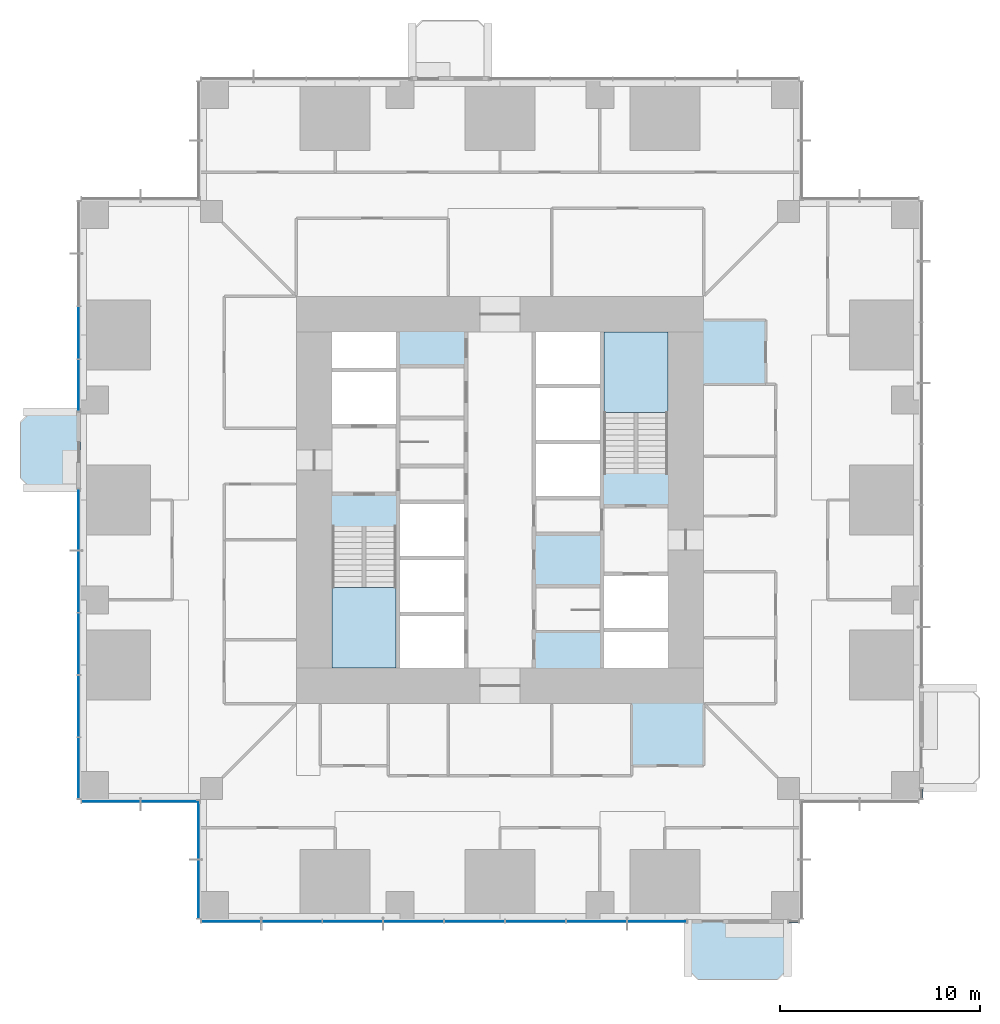
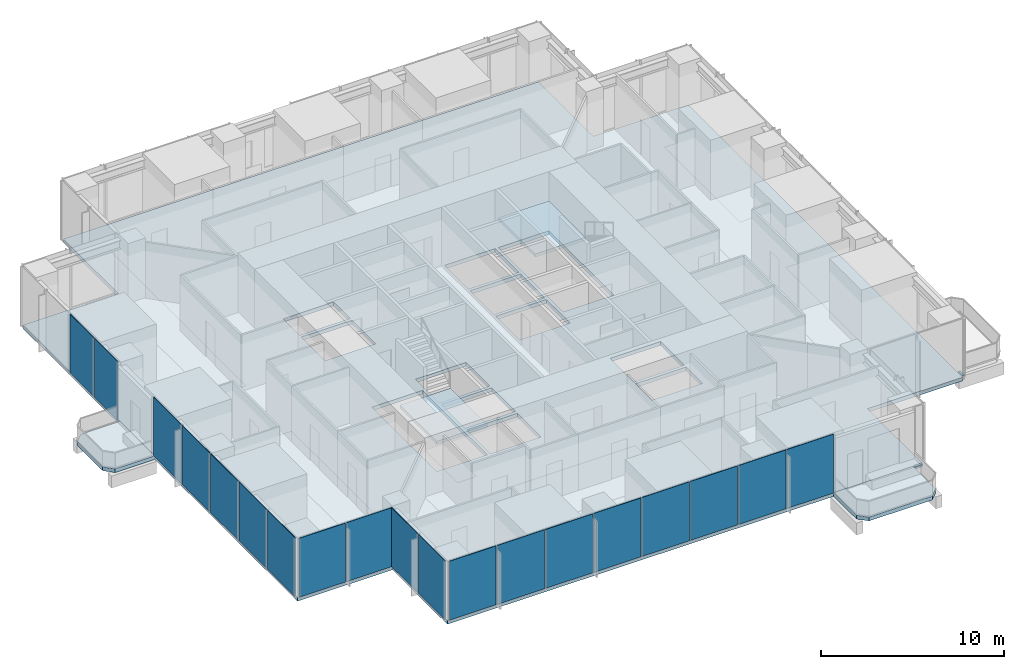
# One storey, part 7 of 16: 19 plates, 5 slabs, 2 members, 9 elements without a shape of their own.
"""IFC4 building model written with IfcOpenShell, lengths in metres."""

from ifc_helpers import new_model, si_unit, direction, frame, origin, origin_2d, place, context, subcontext, project, spatial, polyline, rectangle, outline, extrude, material, layer, layer_set, material_profile, profile_set, type_object, element, aggregate, save


model = new_model("IFC4")

# Units and contexts
model_context = context("Model", 3, precision=1e-05, world=origin(), true_north=direction((0.0, 1.0)))
body_context = subcontext(model_context, "Body", "Model", "MODEL_VIEW")
ifc_project = project(units=[si_unit("LENGTHUNIT", "METRE"), si_unit("AREAUNIT", "SQUARE_METRE"), si_unit("VOLUMEUNIT", "CUBIC_METRE"), si_unit("PLANEANGLEUNIT", "RADIAN"), si_unit("MASSUNIT", "GRAM", prefix="KILO")], contexts=[model_context])

# Site, building, storey
site_placement = place(None, origin())
site = spatial("IfcSite", under=ifc_project, at=site_placement, CompositionType="ELEMENT")
building_placement = place(site_placement, origin())
building = spatial("IfcBuilding", under=site, at=building_placement, Name="Svetlomir Tower", CompositionType="ELEMENT")
storey_placement = place(building_placement, frame((0.0, 0.0, 50.5)))
storey = spatial("IfcBuildingStorey", under=building, at=storey_placement, Name="L11", CompositionType="ELEMENT", Elevation=50.5)

# Curtain wall, member
ifc_material_1 = material(Name="Bronze anodised aluminium curtain wall", Category="aluminium")
curtain_wall_type = type_object("IfcCurtainWallType", Name="CURTAIN WALL CW1 TOWER OFFICE", PredefinedType="NOTDEFINED", material=ifc_material_1)
curtain_wall_1_placement = place(storey_placement, origin())
curtain_wall_1 = element("IfcCurtainWall", 1, at=curtain_wall_1_placement, inside=storey, type_object=curtain_wall_type, Name="Curtain wall CW1 L11", PredefinedType="NOTDEFINED")
ifc_material_2 = material(Name="Bronze anodised aluminium", Category="aluminium")
ifc_material_profile = material_profile(ifc_material_2, rectangle(XDim=0.139892578125, YDim=0.06494140625, at=origin_2d()), Name="AL 140x65")
ifc_profile_set = profile_set([ifc_material_profile], Name="Bronze anodised aluminium 6063-T6")
member_type = type_object("IfcMemberType", Name="CW1 TRANSOM 65x140", PredefinedType="USERDEFINED", material=ifc_profile_set)
member_1_placement = place(storey_placement, frame((35.465087890625, -0.10009765625, 0.032470703125), z_axis=(1.0, 0.0, 0.0), x_axis=(0.0, 1.0, 0.0)))
member_1 = element("IfcMember", 2, at=member_1_placement, type_object=member_type, Name="CW1 transom 1.1", ObjectType="TRANSOM", PredefinedType="USERDEFINED", context=body_context, shape_type="SweptSolid", body=[
    extrude(rectangle(XDim=0.139892578125, YDim=0.06494140625, at=origin_2d()), origin(), (0.0, 0.0, 1.0), 0.469970703125),
])
aggregate(curtain_wall_1, [member_1])

curtain_wall_2_placement = place(storey_placement, origin())
curtain_wall_2 = element("IfcCurtainWall", 3, at=curtain_wall_2_placement, inside=storey, type_object=curtain_wall_type, Name="Curtain wall CW1 L11", PredefinedType="NOTDEFINED")
member_2_placement = place(storey_placement, frame((42.10009765625, 6.06494140625, 0.032470703125), z_axis=(0.0, 1.0, 0.0), x_axis=(-1.0, 0.0, 0.0)))
member_2 = element("IfcMember", 4, at=member_2_placement, type_object=member_type, Name="CW1 transom 1.1", ObjectType="TRANSOM", PredefinedType="USERDEFINED", context=body_context, shape_type="SweptSolid", body=[
    extrude(rectangle(XDim=0.139892578125, YDim=0.06494140625, at=origin_2d()), origin(), (0.0, 0.0, 1.0), 0.469970703125),
])
aggregate(curtain_wall_2, [member_2])

# Slabs
ifc_material_3 = material(Name="Concrete C60/75", Category="concrete")
ifc_layer_1 = layer(ifc_material_3, 0.25)
ifc_layer_set_1 = layer_set([ifc_layer_1], Name="Concrete C60/75")
slab_type_1 = type_object("IfcSlabType", Name="BALCONY SLAB 250", PredefinedType="FLOOR", material=ifc_layer_set_1)
slab_1_placement = place(storey_placement, frame((0.0, 0.0, -0.25)))
element("IfcSlab", 5, at=slab_1_placement, inside=storey, type_object=slab_type_1, Name="L11 S planted balcony", PredefinedType="FLOOR", context=body_context, shape_type="SweptSolid", body=[
    extrude(outline(polyline([(30.39990234375, -2.5), (30.89990234375, -3.0), (34.89990234375, -3.0), (35.39990234375, -2.5), (35.39990234375, 0.0), (30.39990234375, 0.0), (30.39990234375, -2.5)])), origin(), (0.0, 0.0, 1.0), 0.25),
])
slab_2_placement = place(storey_placement, frame((0.0, 0.0, -0.25)))
element("IfcSlab", 6, at=slab_2_placement, inside=storey, type_object=slab_type_1, Name="L11 W planted balcony", PredefinedType="FLOOR", context=body_context, shape_type="SweptSolid", body=[
    extrude(outline(polyline([(-2.5, 21.60009765625), (0.0, 21.60009765625), (0.0, 25.39990234375), (-2.5, 25.39990234375), (-3.0, 24.89990234375), (-3.0, 22.10009765625), (-2.5, 21.60009765625)])), origin(), (0.0, 0.0, 1.0), 0.25),
])

# Curtain wall, plates
curtain_wall_3_placement = place(storey_placement, origin())
curtain_wall_3 = element("IfcCurtainWall", 7, at=curtain_wall_3_placement, inside=storey, type_object=curtain_wall_type, Name="Curtain wall CW1 L11", PredefinedType="NOTDEFINED")
ifc_material_4 = material(Name="Tinted double glazed unit", Category="glass")
ifc_layer_2 = layer(ifc_material_4, 0.031982421875)
ifc_layer_set_2 = layer_set([ifc_layer_2], Name="Tinted double glazed unit")
plate_type = type_object("IfcPlateType", Name="CW1 GLAZED PANEL 32", PredefinedType="CURTAIN_PANEL", material=ifc_layer_set_2)
plate_1_placement = place(storey_placement, frame((7.541259765625, -0.10009765625, 0.06494140625), z_axis=(0.0, 0.0, 1.0), x_axis=(1.0, 0.0, 0.0)))
plate_1 = element("IfcPlate", 8, at=plate_1_placement, type_object=plate_type, Name="CW1 panel 1.1", PredefinedType="CURTAIN_PANEL", context=body_context, shape_type="SweptSolid", body=[
    extrude(rectangle(XDim=2.952392578125, YDim=0.031982421875, at=origin_2d()), origin(), (0.0, 0.0, 1.0), 3.93505859375),
])
plate_2_placement = place(storey_placement, frame((10.574951171875, -0.10009765625, 0.06494140625), z_axis=(0.0, 0.0, 1.0), x_axis=(1.0, 0.0, 0.0)))
plate_2 = element("IfcPlate", 9, at=plate_2_placement, type_object=plate_type, Name="CW1 panel 2.1", PredefinedType="CURTAIN_PANEL", context=body_context, shape_type="SweptSolid", body=[
    extrude(rectangle(XDim=2.985107421875, YDim=0.031982421875, at=origin_2d()), origin(), (0.0, 0.0, 1.0), 3.93505859375),
])
plate_3_placement = place(storey_placement, frame((13.625, -0.10009765625, 0.06494140625), z_axis=(0.0, 0.0, 1.0), x_axis=(1.0, 0.0, 0.0)))
plate_3 = element("IfcPlate", 10, at=plate_3_placement, type_object=plate_type, Name="CW1 panel 3.1", PredefinedType="CURTAIN_PANEL", context=body_context, shape_type="SweptSolid", body=[
    extrude(rectangle(XDim=2.985107421875, YDim=0.031982421875, at=origin_2d()), origin(), (0.0, 0.0, 1.0), 3.93505859375),
])
plate_4_placement = place(storey_placement, frame((16.675048828125, -0.10009765625, 0.06494140625), z_axis=(0.0, 0.0, 1.0), x_axis=(1.0, 0.0, 0.0)))
plate_4 = element("IfcPlate", 11, at=plate_4_placement, type_object=plate_type, Name="CW1 panel 4.1", PredefinedType="CURTAIN_PANEL", context=body_context, shape_type="SweptSolid", body=[
    extrude(rectangle(XDim=2.985107421875, YDim=0.031982421875, at=origin_2d()), origin(), (0.0, 0.0, 1.0), 3.93505859375),
])
plate_5_placement = place(storey_placement, frame((19.72509765625, -0.10009765625, 0.06494140625), z_axis=(0.0, 0.0, 1.0), x_axis=(1.0, 0.0, 0.0)))
plate_5 = element("IfcPlate", 12, at=plate_5_placement, type_object=plate_type, Name="CW1 panel 5.1", PredefinedType="CURTAIN_PANEL", context=body_context, shape_type="SweptSolid", body=[
    extrude(rectangle(XDim=2.985107421875, YDim=0.031982421875, at=origin_2d()), origin(), (0.0, 0.0, 1.0), 3.93505859375),
])
plate_6_placement = place(storey_placement, frame((22.77490234375, -0.10009765625, 0.06494140625), z_axis=(0.0, 0.0, 1.0), x_axis=(1.0, 0.0, 0.0)))
plate_6 = element("IfcPlate", 13, at=plate_6_placement, type_object=plate_type, Name="CW1 panel 6.1", PredefinedType="CURTAIN_PANEL", context=body_context, shape_type="SweptSolid", body=[
    extrude(rectangle(XDim=2.985107421875, YDim=0.031982421875, at=origin_2d()), origin(), (0.0, 0.0, 1.0), 3.93505859375),
])
plate_7_placement = place(storey_placement, frame((25.824951171875, -0.10009765625, 0.06494140625), z_axis=(0.0, 0.0, 1.0), x_axis=(1.0, 0.0, 0.0)))
plate_7 = element("IfcPlate", 14, at=plate_7_placement, type_object=plate_type, Name="CW1 panel 7.1", PredefinedType="CURTAIN_PANEL", context=body_context, shape_type="SweptSolid", body=[
    extrude(rectangle(XDim=2.985107421875, YDim=0.031982421875, at=origin_2d()), origin(), (0.0, 0.0, 1.0), 3.93505859375),
])
plate_8_placement = place(storey_placement, frame((28.858642578125, -0.10009765625, 0.06494140625), z_axis=(0.0, 0.0, 1.0), x_axis=(1.0, 0.0, 0.0)))
plate_8 = element("IfcPlate", 15, at=plate_8_placement, type_object=plate_type, Name="CW1 panel 8.1", PredefinedType="CURTAIN_PANEL", context=body_context, shape_type="SweptSolid", body=[
    extrude(rectangle(XDim=2.952392578125, YDim=0.031982421875, at=origin_2d()), origin(), (0.0, 0.0, 1.0), 3.93505859375),
])
aggregate(curtain_wall_3, [plate_1, plate_2, plate_3, plate_4, plate_5, plate_6, plate_7, plate_8])

curtain_wall_4_placement = place(storey_placement, origin())
curtain_wall_4 = element("IfcCurtainWall", 16, at=curtain_wall_4_placement, inside=storey, type_object=curtain_wall_type, Name="Curtain wall CW1 L11", PredefinedType="NOTDEFINED")
plate_9_placement = place(storey_placement, frame((-0.10009765625, 29.375, 0.06494140625), z_axis=(0.0, 0.0, 1.0), x_axis=(0.0, -1.0, 0.0)))
plate_9 = element("IfcPlate", 17, at=plate_9_placement, type_object=plate_type, Name="CW1 panel 3.1", PredefinedType="CURTAIN_PANEL", context=body_context, shape_type="SweptSolid", body=[
    extrude(rectangle(XDim=2.5849609375, YDim=0.031982421875, at=origin_2d()), origin(), (0.0, 0.0, 1.0), 3.93505859375),
])
plate_10_placement = place(storey_placement, frame((-0.10009765625, 26.7412109375, 0.06494140625), z_axis=(0.0, 0.0, 1.0), x_axis=(0.0, -1.0, 0.0)))
plate_10 = element("IfcPlate", 18, at=plate_10_placement, type_object=plate_type, Name="CW1 panel 4.1", PredefinedType="CURTAIN_PANEL", context=body_context, shape_type="SweptSolid", body=[
    extrude(rectangle(XDim=2.552490234375, YDim=0.031982421875, at=origin_2d()), origin(), (0.0, 0.0, 1.0), 3.93505859375),
])
aggregate(curtain_wall_4, [plate_9, plate_10])

curtain_wall_5_placement = place(storey_placement, origin())
curtain_wall_5 = element("IfcCurtainWall", 19, at=curtain_wall_5_placement, inside=storey, type_object=curtain_wall_type, Name="Curtain wall CW1 L11", PredefinedType="NOTDEFINED")
plate_11_placement = place(storey_placement, frame((-0.10009765625, 20.023681640625, 0.06494140625), z_axis=(0.0, 0.0, 1.0), x_axis=(0.0, -1.0, 0.0)))
plate_11 = element("IfcPlate", 20, at=plate_11_placement, type_object=plate_type, Name="CW1 panel 1.1", PredefinedType="CURTAIN_PANEL", context=body_context, shape_type="SweptSolid", body=[
    extrude(rectangle(XDim=3.0224609375, YDim=0.031982421875, at=origin_2d()), origin(), (0.0, 0.0, 1.0), 3.93505859375),
])
plate_12_placement = place(storey_placement, frame((-0.10009765625, 16.919921875, 0.06494140625), z_axis=(0.0, 0.0, 1.0), x_axis=(0.0, -1.0, 0.0)))
plate_12 = element("IfcPlate", 21, at=plate_12_placement, type_object=plate_type, Name="CW1 panel 2.1", PredefinedType="CURTAIN_PANEL", context=body_context, shape_type="SweptSolid", body=[
    extrude(rectangle(XDim=3.054931640625, YDim=0.031982421875, at=origin_2d()), origin(), (0.0, 0.0, 1.0), 3.93505859375),
])
plate_13_placement = place(storey_placement, frame((-0.10009765625, 13.800048828125, 0.06494140625), z_axis=(0.0, 0.0, 1.0), x_axis=(0.0, -1.0, 0.0)))
plate_13 = element("IfcPlate", 22, at=plate_13_placement, type_object=plate_type, Name="CW1 panel 3.1", PredefinedType="CURTAIN_PANEL", context=body_context, shape_type="SweptSolid", body=[
    extrude(rectangle(XDim=3.054931640625, YDim=0.031982421875, at=origin_2d()), origin(), (0.0, 0.0, 1.0), 3.93505859375),
])
plate_14_placement = place(storey_placement, frame((-0.10009765625, 10.679931640625, 0.06494140625), z_axis=(0.0, 0.0, 1.0), x_axis=(0.0, -1.0, 0.0)))
plate_14 = element("IfcPlate", 23, at=plate_14_placement, type_object=plate_type, Name="CW1 panel 4.1", PredefinedType="CURTAIN_PANEL", context=body_context, shape_type="SweptSolid", body=[
    extrude(rectangle(XDim=3.054931640625, YDim=0.031982421875, at=origin_2d()), origin(), (0.0, 0.0, 1.0), 3.93505859375),
])
plate_15_placement = place(storey_placement, frame((-0.10009765625, 7.576171875, 0.06494140625), z_axis=(0.0, 0.0, 1.0), x_axis=(0.0, -1.0, 0.0)))
plate_15 = element("IfcPlate", 24, at=plate_15_placement, type_object=plate_type, Name="CW1 panel 5.1", PredefinedType="CURTAIN_PANEL", context=body_context, shape_type="SweptSolid", body=[
    extrude(rectangle(XDim=3.0224609375, YDim=0.031982421875, at=origin_2d()), origin(), (0.0, 0.0, 1.0), 3.93505859375),
])
aggregate(curtain_wall_5, [plate_11, plate_12, plate_13, plate_14, plate_15])

curtain_wall_6_placement = place(storey_placement, origin())
curtain_wall_6 = element("IfcCurtainWall", 25, at=curtain_wall_6_placement, inside=storey, type_object=curtain_wall_type, Name="Curtain wall CW1 L11", PredefinedType="NOTDEFINED")
plate_16_placement = place(storey_placement, frame((1.516357421875, 5.89990234375, 0.06494140625), z_axis=(0.0, 0.0, 1.0), x_axis=(1.0, 0.0, 0.0)))
plate_16 = element("IfcPlate", 26, at=plate_16_placement, type_object=plate_type, Name="CW1 panel 1.1", PredefinedType="CURTAIN_PANEL", context=body_context, shape_type="SweptSolid", body=[
    extrude(rectangle(XDim=2.902587890625, YDim=0.031982421875, at=origin_2d()), origin(), (0.0, 0.0, 1.0), 3.93505859375),
])
plate_17_placement = place(storey_placement, frame((4.483642578125, 5.89990234375, 0.06494140625), z_axis=(0.0, 0.0, 1.0), x_axis=(1.0, 0.0, 0.0)))
plate_17 = element("IfcPlate", 27, at=plate_17_placement, type_object=plate_type, Name="CW1 panel 2.1", PredefinedType="CURTAIN_PANEL", context=body_context, shape_type="SweptSolid", body=[
    extrude(rectangle(XDim=2.902587890625, YDim=0.031982421875, at=origin_2d()), origin(), (0.0, 0.0, 1.0), 3.93505859375),
])
aggregate(curtain_wall_6, [plate_16, plate_17])

curtain_wall_7_placement = place(storey_placement, origin())
curtain_wall_7 = element("IfcCurtainWall", 28, at=curtain_wall_7_placement, inside=storey, type_object=curtain_wall_type, Name="Curtain wall CW1 L11", PredefinedType="NOTDEFINED")
plate_18_placement = place(storey_placement, frame((5.89990234375, 4.483642578125, 0.06494140625), z_axis=(0.0, 0.0, 1.0), x_axis=(0.0, -1.0, 0.0)))
plate_18 = element("IfcPlate", 29, at=plate_18_placement, type_object=plate_type, Name="CW1 panel 1.1", PredefinedType="CURTAIN_PANEL", context=body_context, shape_type="SweptSolid", body=[
    extrude(rectangle(XDim=2.902587890625, YDim=0.031982421875, at=origin_2d()), origin(), (0.0, 0.0, 1.0), 3.93505859375),
])
plate_19_placement = place(storey_placement, frame((5.89990234375, 1.516357421875, 0.06494140625), z_axis=(0.0, 0.0, 1.0), x_axis=(0.0, -1.0, 0.0)))
plate_19 = element("IfcPlate", 30, at=plate_19_placement, type_object=plate_type, Name="CW1 panel 2.1", PredefinedType="CURTAIN_PANEL", context=body_context, shape_type="SweptSolid", body=[
    extrude(rectangle(XDim=2.902587890625, YDim=0.031982421875, at=origin_2d()), origin(), (0.0, 0.0, 1.0), 3.93505859375),
])
aggregate(curtain_wall_7, [plate_18, plate_19])

# Slab
ifc_material_5 = material(Name="Concrete C60/75", Category="concrete")
ifc_layer_3 = layer(ifc_material_5, 0.25)
ifc_layer_set_3 = layer_set([ifc_layer_3], Name="Concrete C60/75")
slab_type_2 = type_object("IfcSlabType", Name="FLOOR SLAB 250", PredefinedType="FLOOR", material=ifc_layer_set_3)
slab_3_placement = place(storey_placement, frame((0.0, 0.0, -0.25)))
element("IfcSlab", 31, at=slab_3_placement, inside=storey, type_object=slab_type_2, Name="L11 floor slab", PredefinedType="FLOOR", context=body_context, shape_type="SweptSolid", body=[
    extrude(outline(polyline([(6.0, 0.0), (36.0, 0.0), (36.0, 6.0), (42.0, 6.0), (42.0, 36.0), (36.0, 36.0), (36.0, 42.0), (6.0, 42.0), (6.0, 36.0), (0.0, 36.0), (0.0, 6.0), (6.0, 6.0), (6.0, 0.0)]), holes=[polyline([(12.60009765625, 24.800048828125), (15.800048828125, 24.800048828125), (15.800048828125, 27.39990234375), (12.60009765625, 27.39990234375), (12.60009765625, 24.800048828125)]), polyline([(26.199951171875, 14.60009765625), (29.39990234375, 14.60009765625), (29.39990234375, 17.199951171875), (26.199951171875, 17.199951171875), (26.199951171875, 14.60009765625)]), polyline([(16.0, 12.60009765625), (19.199951171875, 12.60009765625), (19.199951171875, 15.199951171875), (16.0, 15.199951171875), (16.0, 12.60009765625)]), polyline([(16.0, 15.39990234375), (19.199951171875, 15.39990234375), (19.199951171875, 18.0), (16.0, 18.0), (16.0, 15.39990234375)]), polyline([(16.0, 18.199951171875), (19.199951171875, 18.199951171875), (19.199951171875, 20.800048828125), (16.0, 20.800048828125), (16.0, 18.199951171875)]), polyline([(22.800048828125, 21.199951171875), (26.0, 21.199951171875), (26.0, 23.800048828125), (22.800048828125, 23.800048828125), (22.800048828125, 21.199951171875)]), polyline([(22.800048828125, 24.0), (26.0, 24.0), (26.0, 26.60009765625), (22.800048828125, 26.60009765625), (22.800048828125, 24.0)]), polyline([(22.800048828125, 26.800048828125), (26.0, 26.800048828125), (26.0, 29.39990234375), (22.800048828125, 29.39990234375), (22.800048828125, 26.800048828125)]), polyline([(12.60009765625, 27.60009765625), (15.800048828125, 27.60009765625), (15.800048828125, 29.39990234375), (12.60009765625, 29.39990234375), (12.60009765625, 27.60009765625)]), polyline([(26.199951171875, 12.60009765625), (29.39990234375, 12.60009765625), (29.39990234375, 14.39990234375), (26.199951171875, 14.39990234375), (26.199951171875, 12.60009765625)]), polyline([(12.60009765625, 12.60009765625), (15.800048828125, 12.60009765625), (15.800048828125, 19.679931640625), (12.60009765625, 19.679931640625), (12.60009765625, 12.60009765625)]), polyline([(26.199951171875, 22.320068359375), (29.39990234375, 22.320068359375), (29.39990234375, 29.39990234375), (26.199951171875, 29.39990234375), (26.199951171875, 22.320068359375)])]), origin(), (0.0, 0.0, 1.0), 0.25),
])

# Stair, slab
ifc_material_6 = material(Name="Concrete C60/75", Category="concrete")
stair_type = type_object("IfcStairType", Name="EXIT STAIR 3200 RISE 4000", PredefinedType="HALF_TURN_STAIR", material=ifc_material_6)
stair_1_placement = place(storey_placement, origin())
stair_1 = element("IfcStair", 32, at=stair_1_placement, inside=storey, type_object=stair_type, Name="Stair S1 L11 to L12", PredefinedType="HALF_TURN_STAIR")
ifc_material_7 = material(Name="Concrete C60/75", Category="concrete")
ifc_layer_4 = layer(ifc_material_7, 0.199951171875)
ifc_layer_set_4 = layer_set([ifc_layer_4], Name="Concrete C60/75")
slab_type_3 = type_object("IfcSlabType", Name="STAIR LANDING 200", PredefinedType="LANDING", material=ifc_layer_set_4)
slab_4_placement = place(storey_placement, frame((0.0, 0.0, 1.800048828125)))
slab_4 = element("IfcSlab", 33, at=slab_4_placement, type_object=slab_type_3, Name="S1 landing 1", PredefinedType="LANDING", context=body_context, shape_type="SweptSolid", body=[
    extrude(outline(polyline([(12.60009765625, 12.60009765625), (15.800048828125, 12.60009765625), (15.800048828125, 16.6201171875), (12.60009765625, 16.6201171875), (12.60009765625, 12.60009765625)])), origin(), (0.0, 0.0, 1.0), 0.199951171875),
])
aggregate(stair_1, [slab_4])

stair_2_placement = place(storey_placement, origin())
stair_2 = element("IfcStair", 34, at=stair_2_placement, inside=storey, type_object=stair_type, Name="Stair S2 L11 to L12", PredefinedType="HALF_TURN_STAIR")
slab_5_placement = place(storey_placement, frame((0.0, 0.0, 1.800048828125)))
slab_5 = element("IfcSlab", 35, at=slab_5_placement, type_object=slab_type_3, Name="S2 landing 1", PredefinedType="LANDING", context=body_context, shape_type="SweptSolid", body=[
    extrude(outline(polyline([(26.199951171875, 25.3798828125), (29.39990234375, 25.3798828125), (29.39990234375, 29.39990234375), (26.199951171875, 29.39990234375), (26.199951171875, 25.3798828125)])), origin(), (0.0, 0.0, 1.0), 0.199951171875),
])
aggregate(stair_2, [slab_5])

save(model, "model.ifc")
